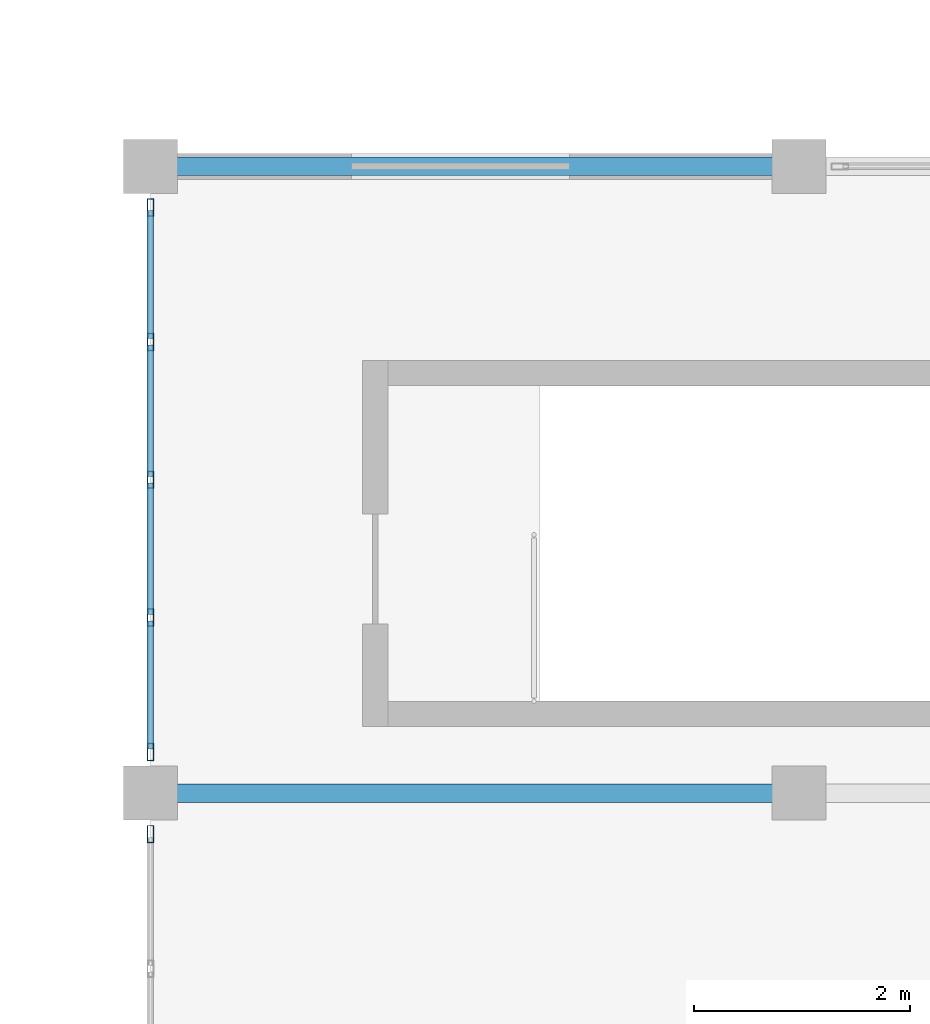
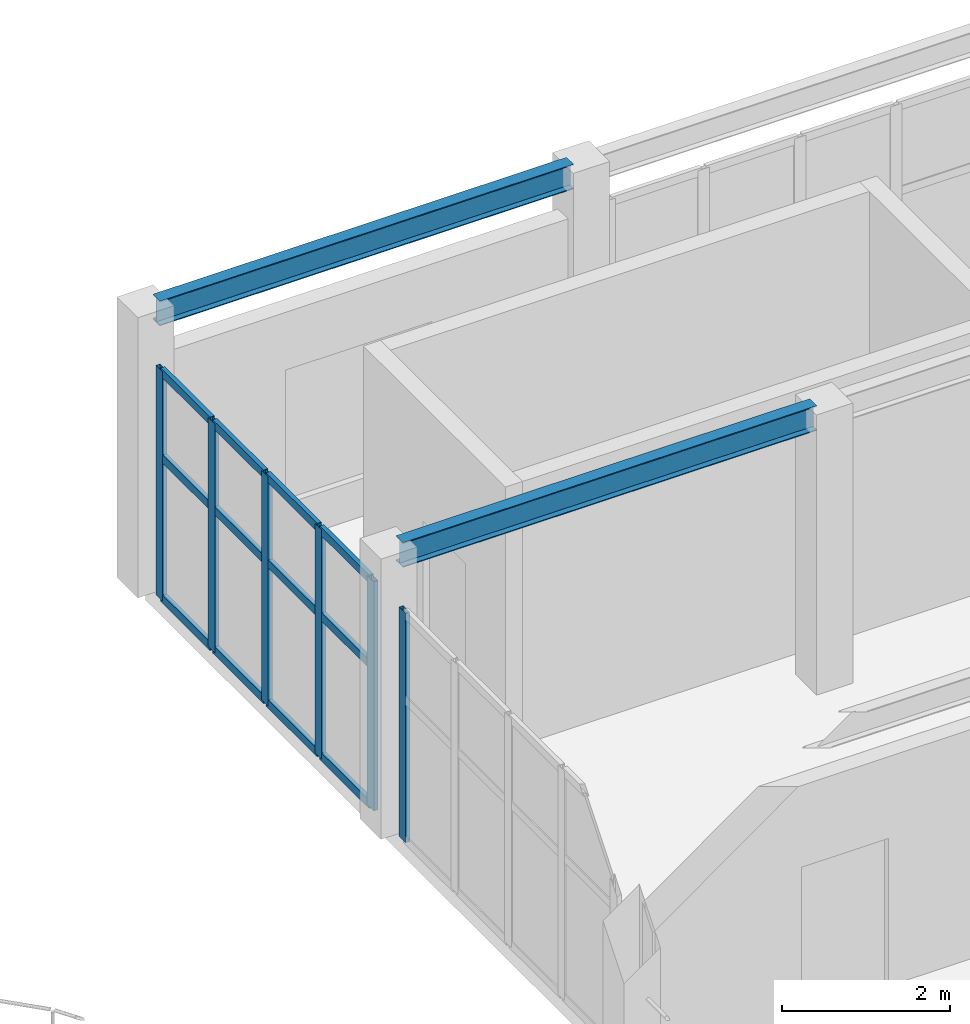
# One storey, part 12 of 128: 18 members, 2 beams, 2 elements without a shape of their own.
"""IFC4 building model written with IfcOpenShell, lengths in metres."""

from ifc_helpers import new_model, si_unit, direction, frame, origin, origin_2d, place, context, subcontext, project, spatial, hollow_rectangle, i_section, extrude, material, material_profile, profile_set, type_object, element, aggregate, save


model = new_model("IFC4")

# Units and contexts
model_context = context("Model", 3, precision=1e-05, world=origin(), true_north=direction((0.0, 1.0)))
body_context = subcontext(model_context, "Body", "Model", "MODEL_VIEW")
ifc_project = project(units=[si_unit("LENGTHUNIT", "METRE"), si_unit("AREAUNIT", "SQUARE_METRE"), si_unit("VOLUMEUNIT", "CUBIC_METRE"), si_unit("PLANEANGLEUNIT", "RADIAN"), si_unit("MASSUNIT", "GRAM", prefix="KILO")], contexts=[model_context])

# Site, building, storey
site_placement = place(None, origin())
site = spatial("IfcSite", under=ifc_project, at=site_placement, CompositionType="ELEMENT")
building_placement = place(site_placement, origin())
building = spatial("IfcBuilding", under=site, at=building_placement, Name="Tanwirah Colonnade Gardens", CompositionType="ELEMENT")
storey_placement = place(building_placement, frame((0.0, 0.0, 4.760009765625)))
storey = spatial("IfcBuildingStorey", under=building, at=storey_placement, Name="L01", CompositionType="ELEMENT", Elevation=4.760009765625)

# Curtain wall, member
ifc_material_1 = material(Name="Bronze-anodised aluminium and solar-control low-E glass", Category="aluminium")
curtain_wall_type = type_object("IfcCurtainWallType", Name="CW-SHP", PredefinedType="NOTDEFINED", material=ifc_material_1)
curtain_wall_1_placement = place(storey_placement, origin())
curtain_wall_1 = element("IfcCurtainWall", 1, at=curtain_wall_1_placement, inside=storey, type_object=curtain_wall_type, Name="Curtain Wall CW-SHP-W-L01-W-1", PredefinedType="NOTDEFINED")
ifc_material_2 = material(Name="Bronze-anodised aluminium", Category="aluminium")
ifc_material_profile_1 = material_profile(ifc_material_2, hollow_rectangle(XDim=0.06005859375, YDim=0.159912109375, WallThickness=0.00390625, at=origin_2d()), Name="CW-MUL 60x160x4")
ifc_profile_set_1 = profile_set([ifc_material_profile_1], Name="Bronze-anodised aluminium")
member_type_1 = type_object("IfcMemberType", Name="CWM-60x160", PredefinedType="MULLION", material=ifc_profile_set_1)
member_1_placement = place(storey_placement, frame((66.0, 22.02001953125, 0.0), z_axis=(0.0, 0.0, 1.0), x_axis=(-1.0, 0.0, 0.0)))
member_1 = element("IfcMember", 2, at=member_1_placement, type_object=member_type_1, Name="CW-SHP mullion 5", PredefinedType="MULLION", context=body_context, shape_type="SweptSolid", body=[
    extrude(hollow_rectangle(XDim=0.06005859375, YDim=0.159912109375, WallThickness=0.00390625, at=origin_2d()), origin(), (0.0, 0.0, 1.0), 3.340087890625),
])
aggregate(curtain_wall_1, [member_1])

# Curtain wall, members
curtain_wall_2_placement = place(storey_placement, origin())
curtain_wall_2 = element("IfcCurtainWall", 3, at=curtain_wall_2_placement, inside=storey, type_object=curtain_wall_type, Name="Curtain Wall CW-SHP-W-L01-W-2", PredefinedType="NOTDEFINED")
member_2_placement = place(storey_placement, frame((66.0, 22.780029296875, 0.0), z_axis=(0.0, 0.0, 1.0), x_axis=(-1.0, 0.0, 0.0)))
member_2 = element("IfcMember", 4, at=member_2_placement, type_object=member_type_1, Name="CW-SHP mullion 1", PredefinedType="MULLION", context=body_context, shape_type="SweptSolid", body=[
    extrude(hollow_rectangle(XDim=0.06005859375, YDim=0.159912109375, WallThickness=0.00390625, at=origin_2d()), origin(), (0.0, 0.0, 1.0), 3.340087890625),
])
member_3_placement = place(storey_placement, frame((66.0, 24.02490234375, 0.0), z_axis=(0.0, 0.0, 1.0), x_axis=(-1.0, 0.0, 0.0)))
member_3 = element("IfcMember", 5, at=member_3_placement, type_object=member_type_1, Name="CW-SHP mullion 2", PredefinedType="MULLION", context=body_context, shape_type="SweptSolid", body=[
    extrude(hollow_rectangle(XDim=0.06005859375, YDim=0.159912109375, WallThickness=0.00390625, at=origin_2d()), origin(), (0.0, 0.0, 1.0), 3.340087890625),
])
member_4_placement = place(storey_placement, frame((66.0, 25.300048828125, 0.0), z_axis=(0.0, 0.0, 1.0), x_axis=(-1.0, 0.0, 0.0)))
member_4 = element("IfcMember", 6, at=member_4_placement, type_object=member_type_1, Name="CW-SHP mullion 3", PredefinedType="MULLION", context=body_context, shape_type="SweptSolid", body=[
    extrude(hollow_rectangle(XDim=0.06005859375, YDim=0.159912109375, WallThickness=0.00390625, at=origin_2d()), origin(), (0.0, 0.0, 1.0), 3.340087890625),
])
member_5_placement = place(storey_placement, frame((66.0, 26.574951171875, 0.0), z_axis=(0.0, 0.0, 1.0), x_axis=(-1.0, 0.0, 0.0)))
member_5 = element("IfcMember", 7, at=member_5_placement, type_object=member_type_1, Name="CW-SHP mullion 4", PredefinedType="MULLION", context=body_context, shape_type="SweptSolid", body=[
    extrude(hollow_rectangle(XDim=0.06005859375, YDim=0.159912109375, WallThickness=0.00390625, at=origin_2d()), origin(), (0.0, 0.0, 1.0), 3.340087890625),
])
member_6_placement = place(storey_placement, frame((66.0, 27.820068359375, 0.0), z_axis=(0.0, 0.0, 1.0), x_axis=(-1.0, 0.0, 0.0)))
member_6 = element("IfcMember", 8, at=member_6_placement, type_object=member_type_1, Name="CW-SHP mullion 5", PredefinedType="MULLION", context=body_context, shape_type="SweptSolid", body=[
    extrude(hollow_rectangle(XDim=0.06005859375, YDim=0.159912109375, WallThickness=0.00390625, at=origin_2d()), origin(), (0.0, 0.0, 1.0), 3.340087890625),
])
ifc_material_profile_2 = material_profile(ifc_material_2, hollow_rectangle(XDim=0.06005859375, YDim=0.1201171875, WallThickness=0.00390625, at=origin_2d()), Name="CW-TRN 60x120x4")
ifc_profile_set_2 = profile_set([ifc_material_profile_2], Name="Bronze-anodised aluminium")
member_type_2 = type_object("IfcMemberType", Name="CWT-60x120", PredefinedType="USERDEFINED", material=ifc_profile_set_2)
member_7_placement = place(storey_placement, frame((66.0, 22.81005859375, 0.030029296875), z_axis=(0.0, 1.0, 0.0), x_axis=(-1.0, 0.0, 0.0)))
member_7 = element("IfcMember", 9, at=member_7_placement, type_object=member_type_2, Name="CW-SHP transom 1.1", ObjectType="TRANSOM", PredefinedType="USERDEFINED", context=body_context, shape_type="SweptSolid", body=[
    extrude(hollow_rectangle(XDim=0.06005859375, YDim=0.1201171875, WallThickness=0.00390625, at=origin_2d()), origin(), (0.0, 0.0, 1.0), 1.18505859375),
])
member_8_placement = place(storey_placement, frame((66.0, 22.81005859375, 2.07080078125), z_axis=(0.0, 1.0, 0.0), x_axis=(-1.0, 0.0, 0.0)))
member_8 = element("IfcMember", 10, at=member_8_placement, type_object=member_type_2, Name="CW-SHP transom 1.2", ObjectType="TRANSOM", PredefinedType="USERDEFINED", context=body_context, shape_type="SweptSolid", body=[
    extrude(hollow_rectangle(XDim=0.06005859375, YDim=0.1201171875, WallThickness=0.00390625, at=origin_2d()), origin(), (0.0, 0.0, 1.0), 1.18505859375),
])
member_9_placement = place(storey_placement, frame((66.0, 22.81005859375, 3.31005859375), z_axis=(0.0, 1.0, 0.0), x_axis=(-1.0, 0.0, 0.0)))
member_9 = element("IfcMember", 11, at=member_9_placement, type_object=member_type_2, Name="CW-SHP transom 1.3", ObjectType="TRANSOM", PredefinedType="USERDEFINED", context=body_context, shape_type="SweptSolid", body=[
    extrude(hollow_rectangle(XDim=0.06005859375, YDim=0.1201171875, WallThickness=0.00390625, at=origin_2d()), origin(), (0.0, 0.0, 1.0), 1.18505859375),
])
member_10_placement = place(storey_placement, frame((66.0, 24.054931640625, 0.030029296875), z_axis=(0.0, 1.0, 0.0), x_axis=(-1.0, 0.0, 0.0)))
member_10 = element("IfcMember", 12, at=member_10_placement, type_object=member_type_2, Name="CW-SHP transom 2.1", ObjectType="TRANSOM", PredefinedType="USERDEFINED", context=body_context, shape_type="SweptSolid", body=[
    extrude(hollow_rectangle(XDim=0.06005859375, YDim=0.1201171875, WallThickness=0.00390625, at=origin_2d()), origin(), (0.0, 0.0, 1.0), 1.215087890625),
])
member_11_placement = place(storey_placement, frame((66.0, 24.054931640625, 2.07080078125), z_axis=(0.0, 1.0, 0.0), x_axis=(-1.0, 0.0, 0.0)))
member_11 = element("IfcMember", 13, at=member_11_placement, type_object=member_type_2, Name="CW-SHP transom 2.2", ObjectType="TRANSOM", PredefinedType="USERDEFINED", context=body_context, shape_type="SweptSolid", body=[
    extrude(hollow_rectangle(XDim=0.06005859375, YDim=0.1201171875, WallThickness=0.00390625, at=origin_2d()), origin(), (0.0, 0.0, 1.0), 1.215087890625),
])
member_12_placement = place(storey_placement, frame((66.0, 24.054931640625, 3.31005859375), z_axis=(0.0, 1.0, 0.0), x_axis=(-1.0, 0.0, 0.0)))
member_12 = element("IfcMember", 14, at=member_12_placement, type_object=member_type_2, Name="CW-SHP transom 2.3", ObjectType="TRANSOM", PredefinedType="USERDEFINED", context=body_context, shape_type="SweptSolid", body=[
    extrude(hollow_rectangle(XDim=0.06005859375, YDim=0.1201171875, WallThickness=0.00390625, at=origin_2d()), origin(), (0.0, 0.0, 1.0), 1.215087890625),
])
member_13_placement = place(storey_placement, frame((66.0, 25.330078125, 0.030029296875), z_axis=(0.0, 1.0, 0.0), x_axis=(-1.0, 0.0, 0.0)))
member_13 = element("IfcMember", 15, at=member_13_placement, type_object=member_type_2, Name="CW-SHP transom 3.1", ObjectType="TRANSOM", PredefinedType="USERDEFINED", context=body_context, shape_type="SweptSolid", body=[
    extrude(hollow_rectangle(XDim=0.06005859375, YDim=0.1201171875, WallThickness=0.00390625, at=origin_2d()), origin(), (0.0, 0.0, 1.0), 1.21484375),
])
member_14_placement = place(storey_placement, frame((66.0, 25.330078125, 2.07080078125), z_axis=(0.0, 1.0, 0.0), x_axis=(-1.0, 0.0, 0.0)))
member_14 = element("IfcMember", 16, at=member_14_placement, type_object=member_type_2, Name="CW-SHP transom 3.2", ObjectType="TRANSOM", PredefinedType="USERDEFINED", context=body_context, shape_type="SweptSolid", body=[
    extrude(hollow_rectangle(XDim=0.06005859375, YDim=0.1201171875, WallThickness=0.00390625, at=origin_2d()), origin(), (0.0, 0.0, 1.0), 1.21484375),
])
member_15_placement = place(storey_placement, frame((66.0, 25.330078125, 3.31005859375), z_axis=(0.0, 1.0, 0.0), x_axis=(-1.0, 0.0, 0.0)))
member_15 = element("IfcMember", 17, at=member_15_placement, type_object=member_type_2, Name="CW-SHP transom 3.3", ObjectType="TRANSOM", PredefinedType="USERDEFINED", context=body_context, shape_type="SweptSolid", body=[
    extrude(hollow_rectangle(XDim=0.06005859375, YDim=0.1201171875, WallThickness=0.00390625, at=origin_2d()), origin(), (0.0, 0.0, 1.0), 1.21484375),
])
member_16_placement = place(storey_placement, frame((66.0, 26.60498046875, 0.030029296875), z_axis=(0.0, 1.0, 0.0), x_axis=(-1.0, 0.0, 0.0)))
member_16 = element("IfcMember", 18, at=member_16_placement, type_object=member_type_2, Name="CW-SHP transom 4.1", ObjectType="TRANSOM", PredefinedType="USERDEFINED", context=body_context, shape_type="SweptSolid", body=[
    extrude(hollow_rectangle(XDim=0.06005859375, YDim=0.1201171875, WallThickness=0.00390625, at=origin_2d()), origin(), (0.0, 0.0, 1.0), 1.18505859375),
])
member_17_placement = place(storey_placement, frame((66.0, 26.60498046875, 2.07080078125), z_axis=(0.0, 1.0, 0.0), x_axis=(-1.0, 0.0, 0.0)))
member_17 = element("IfcMember", 19, at=member_17_placement, type_object=member_type_2, Name="CW-SHP transom 4.2", ObjectType="TRANSOM", PredefinedType="USERDEFINED", context=body_context, shape_type="SweptSolid", body=[
    extrude(hollow_rectangle(XDim=0.06005859375, YDim=0.1201171875, WallThickness=0.00390625, at=origin_2d()), origin(), (0.0, 0.0, 1.0), 1.18505859375),
])
member_18_placement = place(storey_placement, frame((66.0, 26.60498046875, 3.31005859375), z_axis=(0.0, 1.0, 0.0), x_axis=(-1.0, 0.0, 0.0)))
member_18 = element("IfcMember", 20, at=member_18_placement, type_object=member_type_2, Name="CW-SHP transom 4.3", ObjectType="TRANSOM", PredefinedType="USERDEFINED", context=body_context, shape_type="SweptSolid", body=[
    extrude(hollow_rectangle(XDim=0.06005859375, YDim=0.1201171875, WallThickness=0.00390625, at=origin_2d()), origin(), (0.0, 0.0, 1.0), 1.18505859375),
])
aggregate(curtain_wall_2, [member_2, member_3, member_4, member_5, member_6, member_7, member_8, member_9, member_10, member_11, member_12, member_13, member_14, member_15, member_16, member_17, member_18])

# Beams
ifc_material_3 = material(Name="Steel S355", Category="steel")
ifc_material_profile_3 = material_profile(ifc_material_3, i_section(OverallWidth=0.169921875, OverallDepth=0.360107421875, WebThickness=0.008056640625, FlangeThickness=0.0126953125, at=origin_2d()), Name="IPE 360")
ifc_profile_set_3 = profile_set([ifc_material_profile_3], Name="Steel S355")
beam_type = type_object("IfcBeamType", Name="SBM-IPE360", PredefinedType="BEAM", material=ifc_profile_set_3)
for number, where, z_axis, x_axis, name in (
    (21, (66.14990234375, 22.39990234375, 3.89990234375), (1.0, 0.0, 0.0), (0.0, 1.0, 0.0), "Boulevard Shops W L01 Beam 0.2"),
    (22, (66.14990234375, 28.199951171875, 3.89990234375), (1.0, 0.0, 0.0), (0.0, 1.0, 0.0), "Boulevard Shops W L01 Beam 0.3"),
):
    element("IfcBeam", number, at=place(storey_placement, frame(where, z_axis=z_axis, x_axis=x_axis)), inside=storey, type_object=beam_type, Name=name, PredefinedType="BEAM", context=body_context, shape_type="SweptSolid", body=[
        extrude(i_section(OverallWidth=0.169921875, OverallDepth=0.360107421875, WebThickness=0.008056640625, FlangeThickness=0.0126953125, at=origin_2d()), origin(), (0.0, 0.0, 1.0), 5.7001953125),
    ])

save(model, "model.ifc")
